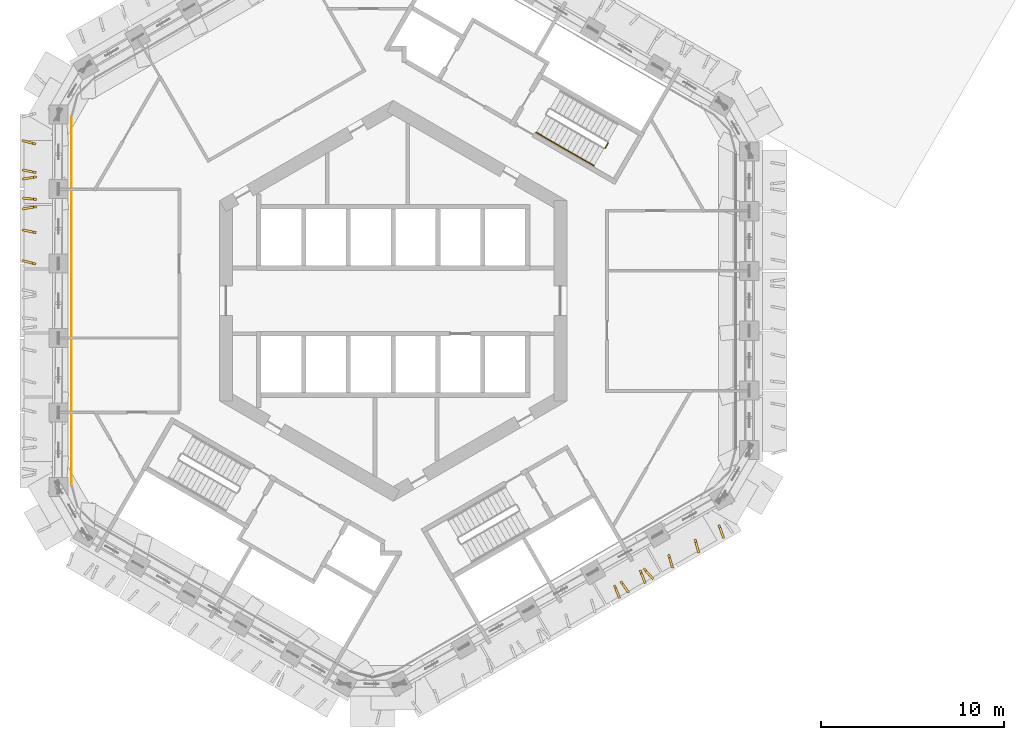
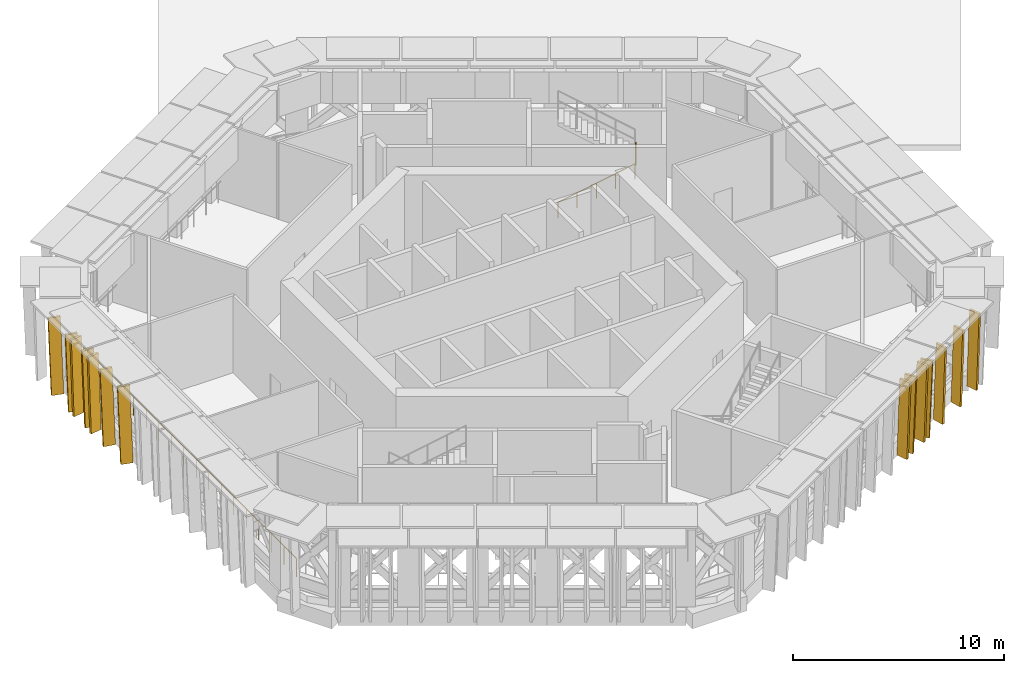
# One storey, part 16 of 18: 14 shading devices, 4 railings.
"""IFC4 building model written with IfcOpenShell, lengths in metres."""

from ifc_helpers import new_model, si_unit, direction, frame, origin, origin_2d, place, context, subcontext, project, spatial, polyline, circle, outline, extrude, material, layer, layer_set, type_object, element, save


model = new_model("IFC4")

# Units and contexts
model_context = context("Model", 3, precision=1e-05, world=origin(), true_north=direction((0.0, 1.0)))
body_context = subcontext(model_context, "Body", "Model", "MODEL_VIEW")
ifc_project = project(units=[si_unit("LENGTHUNIT", "METRE"), si_unit("AREAUNIT", "SQUARE_METRE"), si_unit("VOLUMEUNIT", "CUBIC_METRE"), si_unit("PLANEANGLEUNIT", "RADIAN"), si_unit("MASSUNIT", "GRAM", prefix="KILO")], contexts=[model_context])

# Site, building, storey
site_placement = place(None, origin())
site = spatial("IfcSite", under=ifc_project, at=site_placement, CompositionType="ELEMENT")
building_placement = place(site_placement, origin())
building = spatial("IfcBuilding", under=site, at=building_placement, Name="Ayvan Gate Tower", CompositionType="ELEMENT")
storey_placement = place(building_placement, frame((0.0, 0.0, 147.89990234375)))
storey = spatial("IfcBuildingStorey", under=building, at=storey_placement, Name="L39", CompositionType="ELEMENT", Elevation=147.89990234375)

# Shading devices
ifc_material_1 = material(Name="Bronze anodised aluminium", Category="aluminium")
ifc_layer = layer(ifc_material_1, 0.1201171875)
ifc_layer_set = layer_set([ifc_layer], Name="Bronze anodised aluminium")
shading_device_type = type_object("IfcShadingDeviceType", Name="Bronze fin 600 x 120", PredefinedType="USERDEFINED", material=ifc_layer_set)
shading_device_1_placement = place(storey_placement, frame((-19.5478515625, 8.6376953125, 0.0), z_axis=(0.258397051577, 0.966038740856, 0.00033897128), x_axis=(-0.966038796356, 0.258397066422, 0.0)))
element("IfcShadingDevice", 1, at=shading_device_1_placement, inside=storey, type_object=shading_device_type, Name="Bronze fin FG14.3.28", ObjectType="FIN", PredefinedType="USERDEFINED", context=body_context, shape_type="SweptSolid", body=[
    extrude(outline(polyline([(0.0, 0.0), (0.5999653905582442, 2.0328790734103208e-20), (0.7653439439358571, 4.500000258528463), (0.165378553377613, 4.500000258528463), (0.0, 0.0)])), origin(), (0.0, 0.0, -1.0), 0.1201171875),
])
shading_device_2_placement = place(storey_placement, frame((-19.52978515625, 7.07275390625, 0.0), z_axis=(0.205107945497, 0.978739303413, 0.000326570554), x_axis=(-0.978739355604, 0.205107956434, 0.0)))
element("IfcShadingDevice", 2, at=shading_device_2_placement, inside=storey, type_object=shading_device_type, Name="Bronze fin FG14.3.30", ObjectType="FIN", PredefinedType="USERDEFINED", context=body_context, shape_type="SweptSolid", body=[
    extrude(outline(polyline([(0.0, 0.0), (0.5999127344408055, 0.0), (0.7652355592275613, 4.500000239958755), (0.1653228247867557, 4.500000239958755), (0.0, 0.0)])), origin(), (0.0, 0.0, -1.0), 0.1201171875),
])
shading_device_3_placement = place(storey_placement, frame((-19.534912109375, 6.842529296875, 0.0), z_axis=(-0.151384382475, 0.988474905998, 0.000359103584), x_axis=(-0.988474969732, -0.151384392236, 0.0)))
element("IfcShadingDevice", 3, at=shading_device_3_placement, inside=storey, type_object=shading_device_type, Name="Bronze fin FG14.3.31", ObjectType="FIN", PredefinedType="USERDEFINED", context=body_context, shape_type="SweptSolid", body=[
    extrude(outline(polyline([(0.0, 0.0), (0.5999318103983469, -6.776263578034403e-21), (0.765166717267224, 4.500000290149642), (0.16523490686887704, 4.500000290149642), (0.0, 0.0)])), origin(), (0.0, 0.0, -1.0), 0.1201171875),
])
shading_device_4_placement = place(storey_placement, frame((-19.50830078125, 5.61083984375, 0.0), z_axis=(0.094204162143, 0.99555284096, 0.000341602594), x_axis=(-0.995552899049, 0.094204167613, 7.5729e-08)))
element("IfcShadingDevice", 4, at=shading_device_4_placement, inside=storey, type_object=shading_device_type, Name="Bronze fin FG14.3.32", ObjectType="FIN", PredefinedType="USERDEFINED", context=body_context, shape_type="SweptSolid", body=[
    extrude(outline(polyline([(0.0, 0.0), (0.6000681412819462, 0.0), (0.7652214351079216, 4.50000020460858), (0.16537334966861106, 4.500000295476642), (0.0, 0.0)])), origin(), (0.0, 0.0, -1.0), 0.1201171875),
])
shading_device_5_placement = place(storey_placement, frame((-19.5361328125, 5.212646484375, 0.0), z_axis=(-0.155617837346, 0.987817278629, 0.000335769923), x_axis=(-0.98781733431, -0.15561784614, 6.7469e-08)))
element("IfcShadingDevice", 5, at=shading_device_5_placement, inside=storey, type_object=shading_device_type, Name="Bronze fin FG14.3.33", ObjectType="FIN", PredefinedType="USERDEFINED", context=body_context, shape_type="SweptSolid", body=[
    extrude(outline(polyline([(0.0, 0.0), (0.6001030573182612, 0.0), (0.7654196598144335, 4.500000202026368), (0.1653545951343903, 4.500000283000209), (0.0, 0.0)])), origin(), (0.0, 0.0, -1.0), 0.1201171875),
])
shading_device_6_placement = place(storey_placement, frame((-19.530517578125, 3.7880859375, 0.0), z_axis=(0.207917139917, 0.97814638818, 0.000325912462), x_axis=(-0.978146440129, 0.207917150959, 0.0)))
element("IfcShadingDevice", 6, at=shading_device_6_placement, inside=storey, type_object=shading_device_type, Name="Bronze fin FG14.3.34", ObjectType="FIN", PredefinedType="USERDEFINED", context=body_context, shape_type="SweptSolid", body=[
    extrude(outline(polyline([(0.0, 0.0), (0.6000267837427332, -1.3552527156068805e-20), (0.765446229940277, 4.500000238992619), (0.16541944619754376, 4.500000238992619), (0.0, 0.0)])), origin(), (0.0, 0.0, -1.0), 0.1201171875),
])
shading_device_7_placement = place(storey_placement, frame((-19.5478515625, 2.071533203125, 0.0), z_axis=(0.258397051577, 0.966038740856, 0.00033897128), x_axis=(-0.966038796356, 0.258397066422, 0.0)))
element("IfcShadingDevice", 7, at=shading_device_7_placement, inside=storey, type_object=shading_device_type, Name="Bronze fin FG14.3.36", ObjectType="FIN", PredefinedType="USERDEFINED", context=body_context, shape_type="SweptSolid", body=[
    extrude(outline(polyline([(0.0, 0.0), (0.5999653905582442, 2.0328790734103208e-20), (0.7653439439358571, 4.500000258528463), (0.165378553377613, 4.500000258528463), (0.0, 0.0)])), origin(), (0.0, 0.0, -1.0), 0.1201171875),
])
shading_device_8_placement = place(storey_placement, frame((12.050048828125, -15.57958984375, 0.0), z_axis=(-0.932925465277, -0.36006935751, 0.000366088349), x_axis=(0.360069381638, -0.932925527792, 0.0)))
element("IfcShadingDevice", 8, at=shading_device_8_placement, inside=storey, type_object=shading_device_type, Name="Bronze fin FG14.7.94", ObjectType="FIN", PredefinedType="USERDEFINED", context=body_context, shape_type="SweptSolid", body=[
    extrude(outline(polyline([(0.0, 0.0), (0.6000633881781559, -1.3552527156068805e-20), (0.7653044776290724, 4.500000301546558), (0.16524108945091662, 4.500000301546558), (0.0, 0.0)])), origin(), (0.0, 0.0, -1.0), 0.1201171875),
])
shading_device_9_placement = place(storey_placement, frame((12.39794921875, -15.380859375, 0.0), z_axis=(-0.815776478198, -0.578367213845, 0.000321819293), x_axis=(0.578367243809, -0.815776520432, 5.3402e-08)))
element("IfcShadingDevice", 9, at=shading_device_9_placement, inside=storey, type_object=shading_device_type, Name="Bronze fin FG14.7.95", ObjectType="FIN", PredefinedType="USERDEFINED", context=body_context, shape_type="SweptSolid", body=[
    extrude(outline(polyline([(0.0, 0.0), (0.6001147812898779, 1.3552527156068805e-20), (0.7653725260590992, 4.500000192154689), (0.1653989477096043, 4.500000256242027), (0.0, 0.0)])), origin(), (0.0, 0.0, -1.0), 0.1201171875),
])
shading_device_10_placement = place(storey_placement, frame((13.458251953125, -14.76611328125, 0.0), z_axis=(-0.931970255181, -0.362534598283, 0.000329402074), x_axis=(0.362534617959, -0.93197030574, 2.43e-08)))
element("IfcShadingDevice", 10, at=shading_device_10_placement, inside=storey, type_object=shading_device_type, Name="Bronze fin FG14.7.96", ObjectType="FIN", PredefinedType="USERDEFINED", context=body_context, shape_type="SweptSolid", body=[
    extrude(outline(polyline([(0.0, 0.0), (0.5999097521353344, -1.3552527156068805e-20), (0.7652432382948289, 4.500000225542766), (0.16510595434656958, 4.500000254703484), (0.0, 0.0)])), origin(), (0.0, 0.0, -1.0), 0.1201171875),
])
shading_device_11_placement = place(storey_placement, frame((13.66650390625, -14.68896484375, 0.0), z_axis=(-0.745182743933, -0.66686023331, 0.000327679279), x_axis=(0.666860269101, -0.74518278395, -4.4447e-08)))
element("IfcShadingDevice", 11, at=shading_device_11_placement, inside=storey, type_object=shading_device_type, Name="Bronze fin FG14.7.97", ObjectType="FIN", PredefinedType="USERDEFINED", context=body_context, shape_type="SweptSolid", body=[
    extrude(outline(polyline([(0.0, 0.0), (0.6001364358524885, 0.0), (0.7653412345426693, 4.500000275608104), (0.16538672808079363, 4.500000222267486), (0.0, 0.0)])), origin(), (0.0, 0.0, -1.0), 0.1201171875),
])
shading_device_12_placement = place(storey_placement, frame((15.014404296875, -13.896240234375, 0.0), z_axis=(-0.961324054895, -0.275419545139, 0.000368286556), x_axis=(0.275419563818, -0.96132412009, 0.0)))
element("IfcShadingDevice", 12, at=shading_device_12_placement, inside=storey, type_object=shading_device_type, Name="Bronze fin FG14.7.98", ObjectType="FIN", PredefinedType="USERDEFINED", context=body_context, shape_type="SweptSolid", body=[
    extrude(outline(polyline([(0.0, 0.0), (0.6001142432804758, -6.776263578034403e-21), (0.7654109546464691, 4.5000003051787525), (0.1652967113659933, 4.5000003051787525), (0.0, 0.0)])), origin(), (0.0, 0.0, -1.0), 0.1201171875),
])
shading_device_13_placement = place(storey_placement, frame((16.457763671875, -13.06689453125, 0.0), z_axis=(-0.963889982554, -0.266300546045, 0.000347429811), x_axis=(0.266300562095, -0.963890040735, -6.8132e-08)))
element("IfcShadingDevice", 13, at=shading_device_13_placement, inside=storey, type_object=shading_device_type, Name="Bronze fin FG14.7.100", ObjectType="FIN", PredefinedType="USERDEFINED", context=body_context, shape_type="SweptSolid", body=[
    extrude(outline(polyline([(0.0, 0.0), (0.6000039243435188, 6.776263578034403e-21), (0.7653577734213887, 4.500000323737133), (0.1652888342922021, 4.500000241973882), (0.0, 0.0)])), origin(), (0.0, 0.0, -1.0), 0.1201171875),
])
shading_device_14_placement = place(storey_placement, frame((17.765625, -12.284423828125, 0.0), z_axis=(-0.939638856428, -0.342167689221, 0.000303223208), x_axis=(0.342167704945, -0.939638899627, -2.1102e-08)))
element("IfcShadingDevice", 14, at=shading_device_14_placement, inside=storey, type_object=shading_device_type, Name="Bronze fin FG14.7.102", ObjectType="FIN", PredefinedType="USERDEFINED", context=body_context, shape_type="SweptSolid", body=[
    extrude(outline(polyline([(0.0, 0.0), (0.6001779536127064, 6.776263578034403e-21), (0.7654182903989735, 4.50000022302687), (0.16546974081449625, 4.500000197701342), (0.0, 0.0)])), origin(), (0.0, 0.0, -1.0), 0.1201171875),
])

# Railings
ifc_material_2 = material(Name="Stainless steel balustrade", Category="steel")
railing_type_1 = type_object("IfcRailingType", Name="RL-GUARD-1100", PredefinedType="GUARDRAIL", material=ifc_material_2)
railing_1_placement = place(storey_placement, frame((11.601806640625, 8.36474609375, 2.400146484375)))
element("IfcRailing", 15, at=railing_1_placement, inside=storey, type_object=railing_type_1, Name="L39 STS1 stair guard 2", PredefinedType="GUARDRAIL", context=body_context, shape_type="SweptSolid", body=[
    extrude(circle(Radius=0.02392578125, at=origin_2d()), frame((0.0, 0.0, 1.076171875), z_axis=(0.499949632511, 0.866054481515, 0.0), x_axis=(-0.866054481515, 0.499949632511, 0.0)), (0.0, 0.0, 1.0), 0.31005859375),
    extrude(circle(Radius=0.02099609375, at=origin_2d()), origin(), (0.0, 0.0, 1.0), 1.052001953125),
    extrude(circle(Radius=0.02099609375, at=origin_2d()), frame((0.155029296875, 0.2685546875, 0.0)), (0.0, 0.0, 1.0), 1.052001953125),
])
railing_type_2 = type_object("IfcRailingType", Name="RL-HANDRAIL-900", PredefinedType="HANDRAIL", material=ifc_material_2)
railing_2_placement = place(storey_placement, frame((7.8310546875, 9.2138671875, 0.171630859375)))
element("IfcRailing", 16, at=railing_2_placement, inside=storey, type_object=railing_type_2, Name="L39 STS1 stair handrail 1", PredefinedType="HANDRAIL", context=body_context, shape_type="SweptSolid", body=[
    extrude(circle(Radius=0.02392578125, at=origin_2d()), frame((0.0, 0.0, 0.8759765625), z_axis=(0.738610110021, -0.426394033464, 0.52215250033), x_axis=(0.499962438169, 0.866047089031, 0.0)), (0.0, 0.0, 1.0), 2.134033203125),
    extrude(circle(Radius=0.02099609375, at=origin_2d()), origin(), (0.0, 0.0, 1.0), 0.851806640625),
    extrude(circle(Radius=0.02099609375, at=origin_2d()), frame((0.7880859375, -0.455078125, 0.55712890625)), (0.0, 0.0, 1.0), 0.851806640625),
    extrude(circle(Radius=0.02099609375, at=origin_2d()), frame((1.576171875, -0.909912109375, 1.1142578125)), (0.0, 0.0, 1.0), 0.851806640625),
])
railing_3_placement = place(storey_placement, frame((9.4072265625, 8.303955078125, 1.285888671875)))
element("IfcRailing", 17, at=railing_3_placement, inside=storey, type_object=railing_type_2, Name="L39 STS1 stair handrail 2", PredefinedType="HANDRAIL", context=body_context, shape_type="SweptSolid", body=[
    extrude(circle(Radius=0.02392578125, at=origin_2d()), frame((0.0, 0.0, 0.8759765625), z_axis=(0.738574076676, -0.426487632876, 0.522127026944), x_axis=(0.500063042646, 0.865989003036, 0.0)), (0.0, 0.0, 1.0), 2.134033203125),
    extrude(circle(Radius=0.02099609375, at=origin_2d()), origin(), (0.0, 0.0, 1.0), 0.851806640625),
    extrude(circle(Radius=0.02099609375, at=origin_2d()), frame((0.7880859375, -0.455078125, 0.55712890625)), (0.0, 0.0, 1.0), 0.851806640625),
    extrude(circle(Radius=0.02099609375, at=origin_2d()), frame((1.576171875, -0.91015625, 1.1142578125)), (0.0, 0.0, 1.0), 0.851806640625),
])
ifc_material_3 = material(Name="Stainless steel 316 and laminated glass", Category="steel")
railing_type_3 = type_object("IfcRailingType", Name="Refuge band guard 1100", PredefinedType="GUARDRAIL", material=ifc_material_3)
railing_4_placement = place(storey_placement, frame((-17.6044921875, 10.072265625, 0.0)))
element("IfcRailing", 18, at=railing_4_placement, inside=storey, type_object=railing_type_3, Name="Refuge band guard L39.3", PredefinedType="GUARDRAIL", context=body_context, shape_type="SweptSolid", body=[
    extrude(circle(Radius=0.02490234375, at=origin_2d()), frame((0.0, 0.0, 1.0751953125), z_axis=(0.0, -1.0, 0.0), x_axis=(1.0, 0.0, 0.0)), (0.0, 0.0, 1.0), 20.14453125),
    extrude(circle(Radius=0.02001953125, at=origin_2d()), origin(), (0.0, 0.0, 1.0), 1.050048828125),
    extrude(circle(Radius=0.02001953125, at=origin_2d()), frame((0.0, -1.18505859375, 0.0)), (0.0, 0.0, 1.0), 1.050048828125),
    extrude(circle(Radius=0.02001953125, at=origin_2d()), frame((0.0, -2.369873046875, 0.0)), (0.0, 0.0, 1.0), 1.050048828125),
    extrude(circle(Radius=0.02001953125, at=origin_2d()), frame((0.0, -3.554931640625, 0.0)), (0.0, 0.0, 1.0), 1.050048828125),
    extrude(circle(Radius=0.02001953125, at=origin_2d()), frame((0.0, -4.739990234375, 0.0)), (0.0, 0.0, 1.0), 1.050048828125),
    extrude(circle(Radius=0.02001953125, at=origin_2d()), frame((0.0, -5.9248046875, 0.0)), (0.0, 0.0, 1.0), 1.050048828125),
    extrude(circle(Radius=0.02001953125, at=origin_2d()), frame((0.0, -7.10986328125, 0.0)), (0.0, 0.0, 1.0), 1.050048828125),
    extrude(circle(Radius=0.02001953125, at=origin_2d()), frame((0.0, -8.294921875, 0.0)), (0.0, 0.0, 1.0), 1.050048828125),
    extrude(circle(Radius=0.02001953125, at=origin_2d()), frame((0.0, -9.479736328125, 0.0)), (0.0, 0.0, 1.0), 1.050048828125),
    extrude(circle(Radius=0.02001953125, at=origin_2d()), frame((0.0, -10.664794921875, 0.0)), (0.0, 0.0, 1.0), 1.050048828125),
    extrude(circle(Radius=0.02001953125, at=origin_2d()), frame((0.0, -11.849609375, 0.0)), (0.0, 0.0, 1.0), 1.050048828125),
    extrude(circle(Radius=0.02001953125, at=origin_2d()), frame((0.0, -13.03466796875, 0.0)), (0.0, 0.0, 1.0), 1.050048828125),
    extrude(circle(Radius=0.02001953125, at=origin_2d()), frame((0.0, -14.2197265625, 0.0)), (0.0, 0.0, 1.0), 1.050048828125),
    extrude(circle(Radius=0.02001953125, at=origin_2d()), frame((0.0, -15.404541015625, 0.0)), (0.0, 0.0, 1.0), 1.050048828125),
    extrude(circle(Radius=0.02001953125, at=origin_2d()), frame((0.0, -16.589599609375, 0.0)), (0.0, 0.0, 1.0), 1.050048828125),
    extrude(circle(Radius=0.02001953125, at=origin_2d()), frame((0.0, -17.774658203125, 0.0)), (0.0, 0.0, 1.0), 1.050048828125),
    extrude(circle(Radius=0.02001953125, at=origin_2d()), frame((0.0, -18.95947265625, 0.0)), (0.0, 0.0, 1.0), 1.050048828125),
    extrude(circle(Radius=0.02001953125, at=origin_2d()), frame((0.0, -20.14453125, 0.0)), (0.0, 0.0, 1.0), 1.050048828125),
])

save(model, "model.ifc")
